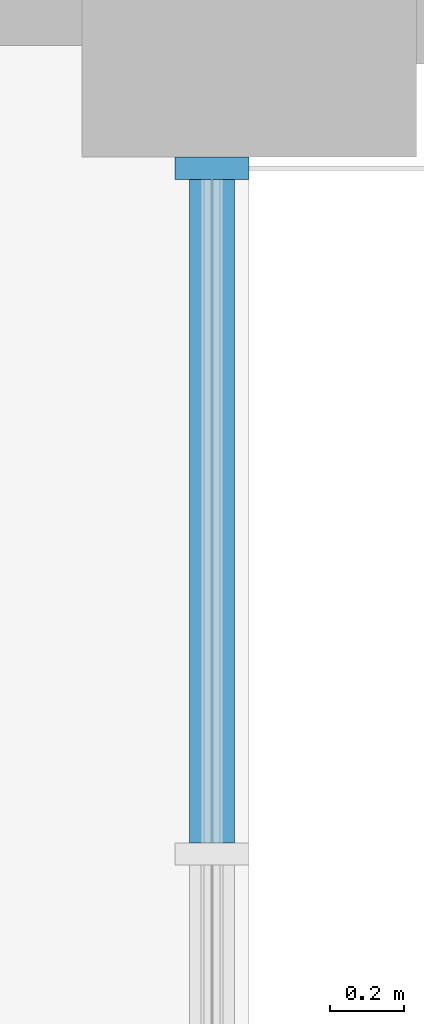
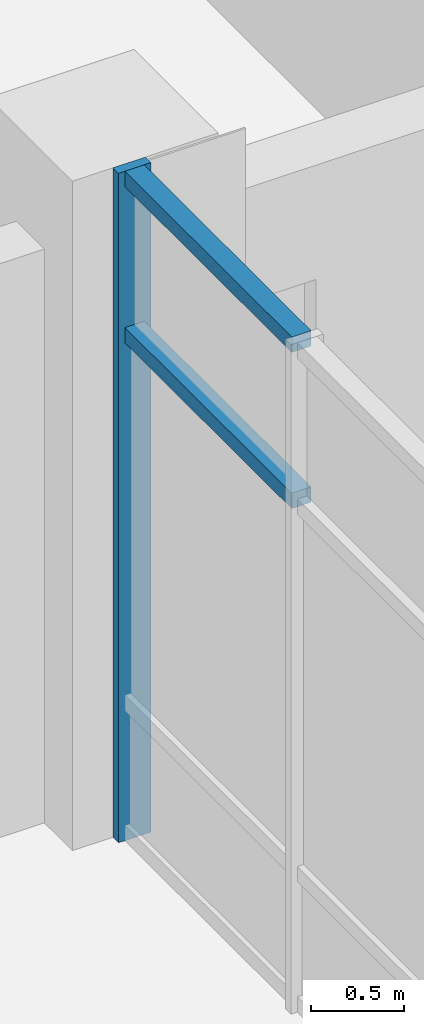
# One storey, part 21 of 70: 3 members, 1 element without a shape of its own.
"""IFC4 building model written with IfcOpenShell, lengths in metres."""

from ifc_helpers import new_model, si_unit, direction, frame, origin, origin_2d, place, context, subcontext, project, spatial, rectangle, extrude, material, material_profile, profile_set, type_object, element, aggregate, save


model = new_model("IFC4")

# Units and contexts
model_context = context("Model", 3, precision=1e-05, world=origin(), true_north=direction((0.0, 1.0)))
body_context = subcontext(model_context, "Body", "Model", "MODEL_VIEW")
ifc_project = project(units=[si_unit("LENGTHUNIT", "METRE"), si_unit("AREAUNIT", "SQUARE_METRE"), si_unit("VOLUMEUNIT", "CUBIC_METRE"), si_unit("PLANEANGLEUNIT", "RADIAN"), si_unit("MASSUNIT", "GRAM", prefix="KILO")], contexts=[model_context])

# Site, building, storey
site_placement = place(None, origin())
site = spatial("IfcSite", under=ifc_project, at=site_placement, CompositionType="ELEMENT")
building_placement = place(site_placement, origin())
building = spatial("IfcBuilding", under=site, at=building_placement, Name="Hlaing Beacon Police Headquarters", CompositionType="ELEMENT")
storey_placement = place(building_placement, frame((0.0, 0.0, 5.39990234375)))
storey = spatial("IfcBuildingStorey", under=building, at=storey_placement, Name="L01", CompositionType="ELEMENT", Elevation=5.39990234375)

# Curtain wall, members
ifc_material_1 = material(Name="Aluminium frame with solar control glazing", Category="aluminium")
curtain_wall_type = type_object("IfcCurtainWallType", Name="Unitised curtain wall 7.50 x 4.37", PredefinedType="NOTDEFINED", material=ifc_material_1)
curtain_wall_placement = place(storey_placement, origin())
curtain_wall = element("IfcCurtainWall", 1, at=curtain_wall_placement, inside=storey, type_object=curtain_wall_type, Name="ENV-CW-L01-E022", PredefinedType="NOTDEFINED")
ifc_material_2 = material(Name="Aluminium", Category="aluminium")
ifc_material_profile_1 = material_profile(ifc_material_2, rectangle(XDim=0.199951171875, YDim=0.06005859375, at=origin_2d()), Name="Mullion 60x200")
ifc_profile_set_1 = profile_set([ifc_material_profile_1], Name="Aluminium")
member_type_1 = type_object("IfcMemberType", Name="Mullion 60x200", PredefinedType="MULLION", material=ifc_profile_set_1)
member_1_placement = place(storey_placement, frame((125.89990234375, 66.719970703125, 0.0), z_axis=(0.0, 0.0, 1.0), x_axis=(-1.0, 0.0, 0.0)))
member_1 = element("IfcMember", 2, at=member_1_placement, type_object=member_type_1, Name="CW-L01-E022 mullion 5", PredefinedType="MULLION", context=body_context, shape_type="SweptSolid", body=[
    extrude(rectangle(XDim=0.199951171875, YDim=0.06005859375, at=origin_2d()), origin(), (0.0, 0.0, 1.0), 4.3701171875),
])
ifc_material_3 = material(Name="Aluminium", Category="aluminium")
ifc_material_profile_2 = material_profile(ifc_material_3, rectangle(XDim=0.1201171875, YDim=0.10009765625, at=origin_2d()), Name="Transom 120x100")
ifc_profile_set_2 = profile_set([ifc_material_profile_2], Name="Aluminium")
member_type_2 = type_object("IfcMemberType", Name="Transom 120x100", PredefinedType="USERDEFINED", material=ifc_profile_set_2)
member_2_placement = place(storey_placement, frame((125.89990234375, 64.905029296875, 3.300048828125), z_axis=(0.0, 1.0, 0.0), x_axis=(-1.0, 0.0, 0.0)))
member_2 = element("IfcMember", 3, at=member_2_placement, type_object=member_type_2, Name="CW-L01-E022 transom 4.3", ObjectType="TRANSOM", PredefinedType="USERDEFINED", context=body_context, shape_type="SweptSolid", body=[
    extrude(rectangle(XDim=0.1201171875, YDim=0.10009765625, at=origin_2d()), origin(), (0.0, 0.0, 1.0), 1.784912109375),
])
member_3_placement = place(storey_placement, frame((125.89990234375, 64.905029296875, 4.320068359375), z_axis=(0.0, 1.0, 0.0), x_axis=(-1.0, 0.0, 0.0)))
member_3 = element("IfcMember", 4, at=member_3_placement, type_object=member_type_2, Name="CW-L01-E022 transom 4.4", ObjectType="TRANSOM", PredefinedType="USERDEFINED", context=body_context, shape_type="SweptSolid", body=[
    extrude(rectangle(XDim=0.1201171875, YDim=0.10009765625, at=origin_2d()), origin(), (0.0, 0.0, 1.0), 1.784912109375),
])
aggregate(curtain_wall, [member_1, member_2, member_3])

save(model, "model.ifc")
